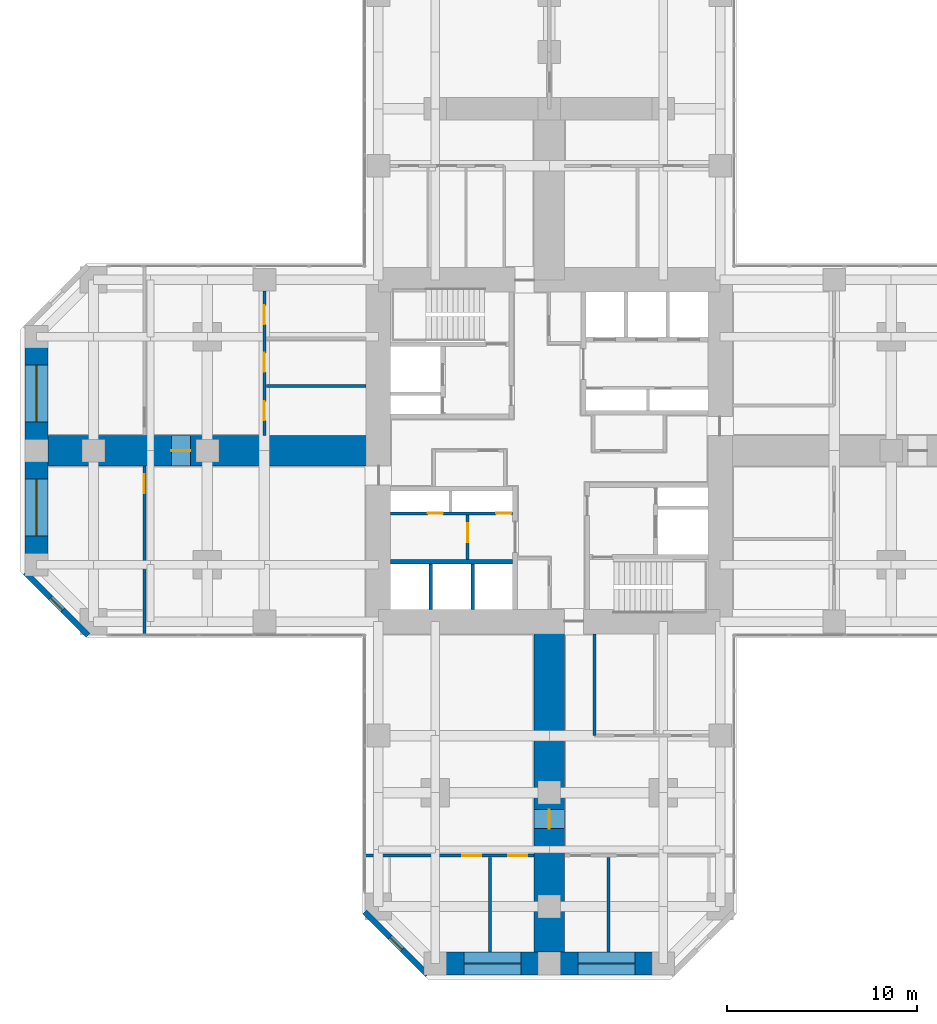
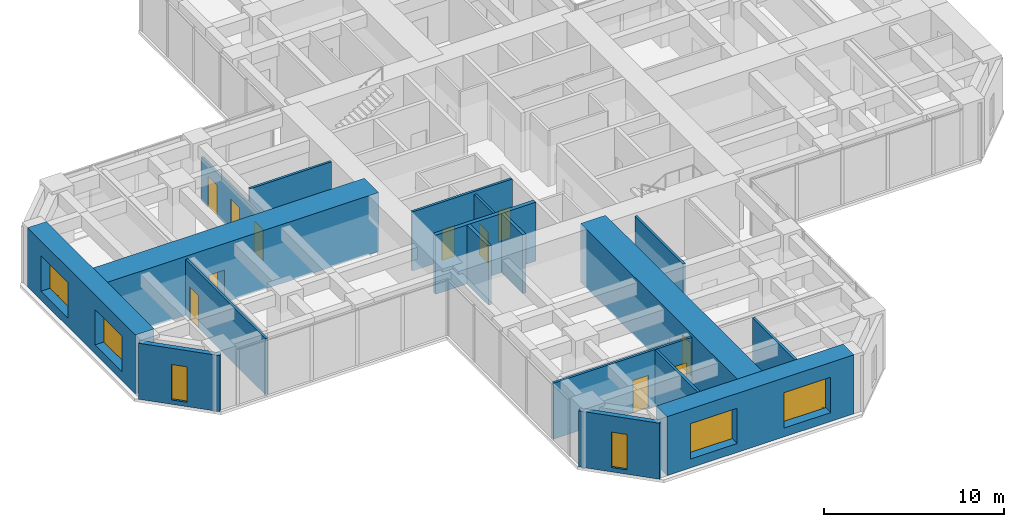
# One storey, part 8 of 13: 18 walls, 11 doors, 6 windows, 17 openings.
"""IFC4 building model written with IfcOpenShell, lengths in metres."""

from ifc_helpers import new_model, si_unit, direction, frame, frame_2d, origin, place, context, subcontext, project, spatial, rectangle, hollow_rectangle, extrude, material, layer, layer_set, constituent, constituent_set, type_object, element, fill, save


model = new_model("IFC4")

# Units and contexts
model_context = context("Model", 3, precision=1e-05, world=origin(), true_north=direction((0.0, 1.0)))
body_context = subcontext(model_context, "Body", "Model", "MODEL_VIEW")
ifc_project = project(units=[si_unit("LENGTHUNIT", "METRE"), si_unit("AREAUNIT", "SQUARE_METRE"), si_unit("VOLUMEUNIT", "CUBIC_METRE"), si_unit("PLANEANGLEUNIT", "RADIAN"), si_unit("MASSUNIT", "GRAM", prefix="KILO")], contexts=[model_context])

# Site, building, storey
site_placement = place(None, origin())
site = spatial("IfcSite", under=ifc_project, at=site_placement, CompositionType="ELEMENT")
building_placement = place(site_placement, origin())
building = spatial("IfcBuilding", under=site, at=building_placement, Name="Torre Cruceta", CompositionType="ELEMENT")
storey_placement = place(building_placement, frame((0.0, 0.0, 23.5)))
storey = spatial("IfcBuildingStorey", under=building, at=storey_placement, Name="L05", CompositionType="ELEMENT", Elevation=23.5)

# Wall
ifc_material_1 = material(Name="Concrete G60 (fck 60 MPa)", Category="concrete")
ifc_layer_1 = layer(ifc_material_1, 0.25)
ifc_layer_set_1 = layer_set([ifc_layer_1], Name="Concrete G60 (fck 60 MPa)")
wall_type_1 = type_object("IfcWallType", Name="CORE INNER WALL 250 G60", PredefinedType="SHEAR", material=ifc_layer_set_1)
wall_1_placement = place(storey_placement, frame((-1.925048828125, -5.85009765625, 0.0), z_axis=(0.0, 0.0, 1.0), x_axis=(-1.0, 0.0, 0.0)))
element("IfcWall", 1, at=wall_1_placement, inside=storey, type_object=wall_type_1, Name="CW4 L05 SW-LV", PredefinedType="SHEAR", context=body_context, shape_type="SweptSolid", body=[
    extrude(rectangle(XDim=6.425048828125, YDim=0.25, at=frame_2d((3.21240234375, 0.0))), origin(), (0.0, 0.0, 1.0), 4.0),
])

# Wall, opening, window
ifc_material_2 = material(Name="Concrete G30 (fck 30 MPa)", Category="concrete")
ifc_layer_2 = layer(ifc_material_2, 0.300048828125)
ifc_layer_set_2 = layer_set([ifc_layer_2], Name="Concrete G30 (fck 30 MPa)")
wall_type_2 = type_object("IfcWallType", Name="EXPOSED CONCRETE FACADE WALL 300", PredefinedType="SOLIDWALL", material=ifc_layer_set_2)
wall_2_placement = place(storey_placement, frame((-27.60009765625, -6.418212890625, 0.0), z_axis=(0.0, 0.0, 1.0), x_axis=(0.707106781187, -0.707106781187, 0.0)))
wall_2 = element("IfcWall", 2, at=wall_2_placement, inside=storey, type_object=wall_type_2, Name="EW1 facade wall L05 W chamfer 13", PredefinedType="SOLIDWALL", context=body_context, shape_type="SweptSolid", body=[
    extrude(rectangle(XDim=4.66943359375, YDim=0.300048828125, at=frame_2d((2.334716796875, 0.0))), origin(), (0.0, 0.0, 1.0), 3.800048828125),
])
opening_1_placement = place(wall_2_placement, frame((1.884765625, 0.0, 0.300048828125)))
opening_1 = element("IfcOpeningElement", 3, at=opening_1_placement, cuts=wall_2, Name="Opening WN5", PredefinedType="OPENING", context=body_context, shape_type="SweptSolid", body=[
    extrude(rectangle(XDim=0.89990234375, YDim=2.39990234375, at=frame_2d((0.449951171875, 1.199951171875))), frame((0.0, 0.159912109375, 0.0), z_axis=(0.0, -1.0, 0.0), x_axis=(1.0, 0.0, 0.0)), (0.0, 0.0, 1.0), 0.320068359375),
])
ifc_material_3 = material(Name="Aluminium window frame", Category="aluminium")
ifc_constituent_1 = constituent(ifc_material_3, Name="Frame")
ifc_material_4 = material(Name="Laminated insulating glass unit, low-iron clear", Category="glass")
ifc_constituent_2 = constituent(ifc_material_4, Name="Glazing")
ifc_constituent_set_1 = constituent_set(constituents=[ifc_constituent_1, ifc_constituent_2], Name="Aluminium window")
window_type_1 = type_object("IfcWindowType", Name="CHAMFER SLOT WINDOW 900X2400", PartitioningType="SINGLE_PANEL", PredefinedType="WINDOW", material=ifc_constituent_set_1)
window_1_placement = place(opening_1_placement, origin())
window_1 = element("IfcWindow", 4, at=window_1_placement, inside=storey, type_object=window_type_1, Name="WN5 L05 W 1", OverallHeight=2.39990234375, OverallWidth=0.89990234375, PartitioningType="SINGLE_PANEL", PredefinedType="WINDOW", context=body_context, shape_type="SweptSolid", body=[
    extrude(hollow_rectangle(XDim=0.89990234375, YDim=2.39990234375, WallThickness=0.06005859375, at=frame_2d((0.449951171875, 1.199951171875))), frame((0.0, 0.030029296875, 0.0), z_axis=(0.0, -1.0, 0.0), x_axis=(1.0, 0.0, 0.0)), (0.0, 0.0, 1.0), 0.06005859375),
    extrude(rectangle(XDim=0.77880859375, YDim=2.27880859375, at=frame_2d((0.449951171875, 1.199951171875))), frame((0.0, 0.030029296875, 0.0), z_axis=(0.0, -1.0, 0.0), x_axis=(1.0, 0.0, 0.0)), (0.0, 0.0, 1.0), 0.06005859375),
])
fill(opening_1, window_1)

wall_3_placement = place(storey_placement, frame((-9.719970703125, -24.29833984375, 0.0), z_axis=(0.0, 0.0, 1.0), x_axis=(0.707106781187, -0.707106781187, 0.0)))
wall_3 = element("IfcWall", 5, at=wall_3_placement, inside=storey, type_object=wall_type_2, Name="EW1 facade wall L05 S chamfer 16", PredefinedType="SOLIDWALL", context=body_context, shape_type="SweptSolid", body=[
    extrude(rectangle(XDim=4.66943359375, YDim=0.300048828125, at=frame_2d((2.334716796875, 0.0))), origin(), (0.0, 0.0, 1.0), 3.800048828125),
])
opening_2_placement = place(wall_3_placement, frame((1.884765625, 0.0, 0.300048828125)))
opening_2 = element("IfcOpeningElement", 6, at=opening_2_placement, cuts=wall_3, Name="Opening WN5", PredefinedType="OPENING", context=body_context, shape_type="SweptSolid", body=[
    extrude(rectangle(XDim=0.89990234375, YDim=2.39990234375, at=frame_2d((0.449951171875, 1.199951171875))), frame((0.0, 0.159912109375, 0.0), z_axis=(0.0, -1.0, 0.0), x_axis=(1.0, 0.0, 0.0)), (0.0, 0.0, 1.0), 0.320068359375),
])
window_2_placement = place(opening_2_placement, origin())
window_2 = element("IfcWindow", 7, at=window_2_placement, inside=storey, type_object=window_type_1, Name="WN5 L05 S 1", OverallHeight=2.39990234375, OverallWidth=0.89990234375, PartitioningType="SINGLE_PANEL", PredefinedType="WINDOW", context=body_context, shape_type="SweptSolid", body=[
    extrude(hollow_rectangle(XDim=0.89990234375, YDim=2.39990234375, WallThickness=0.06005859375, at=frame_2d((0.449951171875, 1.199951171875))), frame((0.0, 0.030029296875, 0.0), z_axis=(0.0, -1.0, 0.0), x_axis=(1.0, 0.0, 0.0)), (0.0, 0.0, 1.0), 0.06005859375),
    extrude(rectangle(XDim=0.77880859375, YDim=2.27880859375, at=frame_2d((0.449951171875, 1.199951171875))), frame((0.0, 0.030029296875, 0.0), z_axis=(0.0, -1.0, 0.0), x_axis=(1.0, 0.0, 0.0)), (0.0, 0.0, 1.0), 0.06005859375),
])
fill(opening_2, window_2)

# Walls
ifc_material_5 = material(Name="Concrete G35 (fck 35 MPa)", Category="concrete")
ifc_layer_3 = layer(ifc_material_5, 0.199951171875)
ifc_layer_set_3 = layer_set([ifc_layer_3], Name="Concrete G35 (fck 35 MPa)")
wall_type_3 = type_object("IfcWallType", Name="LIFT SHAFT WALL 200", PredefinedType="PARTITIONING", material=ifc_layer_set_3)
for number, where, z_axis, x_axis, name in (
    (8, (-4.033447265625, -5.97509765625, 0.0), (0.0, 0.0, 1.0), (0.0, -1.0, 0.0), "SW1 L05 SW-LS1"),
    (9, (-6.24169921875, -5.97509765625, 0.0), (0.0, 0.0, 1.0), (0.0, -1.0, 0.0), "SW1 L05 SW-LS2"),
):
    element("IfcWall", number, at=place(storey_placement, frame(where, z_axis=z_axis, x_axis=x_axis)), inside=storey, type_object=wall_type_3, Name=name, PredefinedType="PARTITIONING", context=body_context, shape_type="SweptSolid", body=[
        extrude(rectangle(XDim=2.375, YDim=0.199951171875, at=frame_2d((1.1875, 0.0))), origin(), (0.0, 0.0, 1.0), 4.0),
    ])

# Wall, openings, windows
ifc_material_6 = material(Name="Concrete G60 (fck 60 MPa)", Category="concrete")
ifc_layer_4 = layer(ifc_material_6, 1.199951171875)
ifc_layer_set_4 = layer_set([ifc_layer_4], Name="Concrete G60 (fck 60 MPa)")
wall_type_4 = type_object("IfcWallType", Name="NOSE WALL 1200 G60", PredefinedType="SHEAR", material=ifc_layer_set_4)
wall_4_placement = place(storey_placement, frame((-6.0, -27.0, 0.0), z_axis=(0.0, 0.0, 1.0), x_axis=(1.0, 0.0, 0.0)))
wall_4 = element("IfcWall", 10, at=wall_4_placement, inside=storey, type_object=wall_type_4, Name="NW1 nose wall L05 S", PredefinedType="SHEAR", context=body_context, shape_type="SweptSolid", body=[
    extrude(rectangle(XDim=12.0, YDim=1.199951171875, at=frame_2d((6.0, 0.0))), origin(), (0.0, 0.0, 1.0), 4.0),
])
opening_3_placement = place(wall_4_placement, frame((1.5, 0.0, 0.60009765625)))
opening_3 = element("IfcOpeningElement", 11, at=opening_3_placement, cuts=wall_4, Name="Opening WN6", PredefinedType="OPENING", context=body_context, shape_type="SweptSolid", body=[
    extrude(rectangle(XDim=3.0, YDim=2.39990234375, at=frame_2d((1.5, 1.199951171875))), frame((0.0, 0.60986328125, 0.0), z_axis=(0.0, -1.0, 0.0), x_axis=(1.0, 0.0, 0.0)), (0.0, 0.0, 1.0), 1.219970703125),
])
opening_4_placement = place(wall_4_placement, frame((7.5, 0.0, 0.60009765625)))
opening_4 = element("IfcOpeningElement", 12, at=opening_4_placement, cuts=wall_4, Name="Opening WN6", PredefinedType="OPENING", context=body_context, shape_type="SweptSolid", body=[
    extrude(rectangle(XDim=3.0, YDim=2.39990234375, at=frame_2d((1.5, 1.199951171875))), frame((0.0, 0.60986328125, 0.0), z_axis=(0.0, -1.0, 0.0), x_axis=(1.0, 0.0, 0.0)), (0.0, 0.0, 1.0), 1.219970703125),
])
ifc_material_7 = material(Name="Aluminium window frame", Category="aluminium")
ifc_constituent_3 = constituent(ifc_material_7, Name="Frame")
ifc_material_8 = material(Name="Laminated insulating glass unit, low-iron clear", Category="glass")
ifc_constituent_4 = constituent(ifc_material_8, Name="Glazing")
ifc_constituent_set_2 = constituent_set(constituents=[ifc_constituent_3, ifc_constituent_4], Name="Aluminium window")
window_type_2 = type_object("IfcWindowType", Name="NOSE WALL WINDOW 3000X2400", PartitioningType="SINGLE_PANEL", PredefinedType="WINDOW", material=ifc_constituent_set_2)
window_3_placement = place(opening_3_placement, origin())
window_3 = element("IfcWindow", 13, at=window_3_placement, inside=storey, type_object=window_type_2, Name="WN6 L05 S 1", OverallHeight=2.39990234375, OverallWidth=3.0, PartitioningType="SINGLE_PANEL", PredefinedType="WINDOW", context=body_context, shape_type="SweptSolid", body=[
    extrude(hollow_rectangle(XDim=3.0, YDim=2.39990234375, WallThickness=0.06005859375, at=frame_2d((1.5, 1.199951171875))), frame((0.0, 0.030029296875, 0.0), z_axis=(0.0, -1.0, 0.0), x_axis=(1.0, 0.0, 0.0)), (0.0, 0.0, 1.0), 0.06005859375),
    extrude(rectangle(XDim=2.87890625, YDim=2.27880859375, at=frame_2d((1.5, 1.199951171875))), frame((0.0, 0.030029296875, 0.0), z_axis=(0.0, -1.0, 0.0), x_axis=(1.0, 0.0, 0.0)), (0.0, 0.0, 1.0), 0.06005859375),
])
fill(opening_3, window_3)
window_4_placement = place(opening_4_placement, origin())
window_4 = element("IfcWindow", 14, at=window_4_placement, inside=storey, type_object=window_type_2, Name="WN6 L05 S 2", OverallHeight=2.39990234375, OverallWidth=3.0, PartitioningType="SINGLE_PANEL", PredefinedType="WINDOW", context=body_context, shape_type="SweptSolid", body=[
    extrude(hollow_rectangle(XDim=3.0, YDim=2.39990234375, WallThickness=0.06005859375, at=frame_2d((1.5, 1.199951171875))), frame((0.0, 0.030029296875, 0.0), z_axis=(0.0, -1.0, 0.0), x_axis=(1.0, 0.0, 0.0)), (0.0, 0.0, 1.0), 0.06005859375),
    extrude(rectangle(XDim=2.87890625, YDim=2.27880859375, at=frame_2d((1.5, 1.199951171875))), frame((0.0, 0.030029296875, 0.0), z_axis=(0.0, -1.0, 0.0), x_axis=(1.0, 0.0, 0.0)), (0.0, 0.0, 1.0), 0.06005859375),
])
fill(opening_4, window_4)

wall_5_placement = place(storey_placement, frame((-27.0, 6.0, 0.0), z_axis=(0.0, 0.0, 1.0), x_axis=(0.0, -1.0, 0.0)))
wall_5 = element("IfcWall", 15, at=wall_5_placement, inside=storey, type_object=wall_type_4, Name="NW1 nose wall L05 W", PredefinedType="SHEAR", context=body_context, shape_type="SweptSolid", body=[
    extrude(rectangle(XDim=12.0, YDim=1.199951171875, at=frame_2d((6.0, 0.0))), origin(), (0.0, 0.0, 1.0), 4.0),
])
opening_5_placement = place(wall_5_placement, frame((1.5, 0.0, 0.60009765625)))
opening_5 = element("IfcOpeningElement", 16, at=opening_5_placement, cuts=wall_5, Name="Opening WN6", PredefinedType="OPENING", context=body_context, shape_type="SweptSolid", body=[
    extrude(rectangle(XDim=3.0, YDim=2.39990234375, at=frame_2d((1.5, 1.199951171875))), frame((0.0, 0.60986328125, 0.0), z_axis=(0.0, -1.0, 0.0), x_axis=(1.0, 0.0, 0.0)), (0.0, 0.0, 1.0), 1.219970703125),
])
opening_6_placement = place(wall_5_placement, frame((7.5, 0.0, 0.60009765625)))
opening_6 = element("IfcOpeningElement", 17, at=opening_6_placement, cuts=wall_5, Name="Opening WN6", PredefinedType="OPENING", context=body_context, shape_type="SweptSolid", body=[
    extrude(rectangle(XDim=3.0, YDim=2.39990234375, at=frame_2d((1.5, 1.199951171875))), frame((0.0, 0.60986328125, 0.0), z_axis=(0.0, -1.0, 0.0), x_axis=(1.0, 0.0, 0.0)), (0.0, 0.0, 1.0), 1.219970703125),
])
window_5_placement = place(opening_5_placement, origin())
window_5 = element("IfcWindow", 18, at=window_5_placement, inside=storey, type_object=window_type_2, Name="WN6 L05 W 1", OverallHeight=2.39990234375, OverallWidth=3.0, PartitioningType="SINGLE_PANEL", PredefinedType="WINDOW", context=body_context, shape_type="SweptSolid", body=[
    extrude(hollow_rectangle(XDim=3.0, YDim=2.39990234375, WallThickness=0.06005859375, at=frame_2d((1.5, 1.199951171875))), frame((0.0, 0.030029296875, 0.0), z_axis=(0.0, -1.0, 0.0), x_axis=(1.0, 0.0, 0.0)), (0.0, 0.0, 1.0), 0.06005859375),
    extrude(rectangle(XDim=2.87890625, YDim=2.27880859375, at=frame_2d((1.5, 1.199951171875))), frame((0.0, 0.030029296875, 0.0), z_axis=(0.0, -1.0, 0.0), x_axis=(1.0, 0.0, 0.0)), (0.0, 0.0, 1.0), 0.06005859375),
])
fill(opening_5, window_5)
window_6_placement = place(opening_6_placement, origin())
window_6 = element("IfcWindow", 19, at=window_6_placement, inside=storey, type_object=window_type_2, Name="WN6 L05 W 2", OverallHeight=2.39990234375, OverallWidth=3.0, PartitioningType="SINGLE_PANEL", PredefinedType="WINDOW", context=body_context, shape_type="SweptSolid", body=[
    extrude(hollow_rectangle(XDim=3.0, YDim=2.39990234375, WallThickness=0.06005859375, at=frame_2d((1.5, 1.199951171875))), frame((0.0, 0.030029296875, 0.0), z_axis=(0.0, -1.0, 0.0), x_axis=(1.0, 0.0, 0.0)), (0.0, 0.0, 1.0), 0.06005859375),
    extrude(rectangle(XDim=2.87890625, YDim=2.27880859375, at=frame_2d((1.5, 1.199951171875))), frame((0.0, 0.030029296875, 0.0), z_axis=(0.0, -1.0, 0.0), x_axis=(1.0, 0.0, 0.0)), (0.0, 0.0, 1.0), 0.06005859375),
])
fill(opening_6, window_6)

# Wall, opening, door
ifc_material_9 = material(Name="Plasterboard on steel studs", Category="steel")
ifc_layer_5 = layer(ifc_material_9, 0.14990234375)
ifc_layer_set_5 = layer_set([ifc_layer_5], Name="Plasterboard on steel studs")
wall_type_5 = type_object("IfcWallType", Name="PARTITION 150", PredefinedType="PARTITIONING", material=ifc_layer_set_5)
wall_6_placement = place(storey_placement, frame((-4.300048828125, -3.375, 0.0), z_axis=(0.0, 0.0, 1.0), x_axis=(0.0, -1.0, 0.0)))
wall_6 = element("IfcWall", 20, at=wall_6_placement, inside=storey, type_object=wall_type_5, Name="PT1 L05-CORE-SW-X", PredefinedType="PARTITIONING", context=body_context, shape_type="SweptSolid", body=[
    extrude(rectangle(XDim=2.35009765625, YDim=0.14990234375, at=frame_2d((1.175048828125, 0.0))), origin(), (0.0, 0.0, 1.0), 3.800048828125),
])
opening_7_placement = place(wall_6_placement, frame((0.449951171875, 0.0, 0.0)))
opening_7 = element("IfcOpeningElement", 21, at=opening_7_placement, cuts=wall_6, Name="Opening D3", PredefinedType="OPENING", context=body_context, shape_type="SweptSolid", body=[
    extrude(rectangle(XDim=1.0, YDim=2.10009765625, at=frame_2d((0.5, 1.050048828125))), frame((0.0, 0.0849609375, 0.0), z_axis=(0.0, -1.0, 0.0), x_axis=(1.0, 0.0, 0.0)), (0.0, 0.0, 1.0), 0.169921875),
])
ifc_material_10 = material(Name="Steel DX51D", Category="steel")
ifc_constituent_5 = constituent(ifc_material_10, Name="Leaf and frame")
ifc_material_11 = material(Name="Polyester powder coating", Category="paint")
ifc_constituent_6 = constituent(ifc_material_11, Name="Finish")
ifc_constituent_set_3 = constituent_set(constituents=[ifc_constituent_5, ifc_constituent_6], Name="Steel fire door")
door_type_1 = type_object("IfcDoorType", Name="FIRE DOOR 1000X2100", OperationType="SINGLE_SWING_LEFT", PredefinedType="DOOR", material=ifc_constituent_set_3)
door_1_placement = place(opening_7_placement, origin())
door_1 = element("IfcDoor", 22, at=door_1_placement, inside=storey, type_object=door_type_1, Name="D3 L05-CORE-SW-X-D1", OperationType="SINGLE_SWING_LEFT", OverallHeight=2.10009765625, OverallWidth=1.0, PredefinedType="DOOR", context=body_context, shape_type="SweptSolid", body=[
    extrude(rectangle(XDim=1.0, YDim=2.10009765625, at=frame_2d((0.5, 1.050048828125))), frame((0.0, 0.02490234375, 0.0), z_axis=(0.0, -1.0, 0.0), x_axis=(1.0, 0.0, 0.0)), (0.0, 0.0, 1.0), 0.050048828125),
])
fill(opening_7, door_1)

# Walls
wall_7_placement = place(storey_placement, frame((2.375, -9.64990234375, 0.0), z_axis=(0.0, 0.0, 1.0), x_axis=(0.0, -1.0, 0.0)))
element("IfcWall", 23, at=wall_7_placement, inside=storey, type_object=wall_type_5, Name="PT1 L05-S-BSL", PredefinedType="PARTITIONING", context=body_context, shape_type="SweptSolid", body=[
    extrude(rectangle(XDim=5.35009765625, YDim=0.14990234375, at=frame_2d((2.675048828125, 0.0))), origin(), (0.0, 0.0, 1.0), 3.800048828125),
])
for number, where, z_axis, x_axis, name in (
    (24, (3.117919921875, -21.419921875, 0.0), (0.0, 0.0, 1.0), (0.0, -1.0, 0.0), "PT1 L05-S-TDL"),
    (25, (-3.117919921875, -21.419921875, 0.0), (0.0, 0.0, 1.0), (0.0, -1.0, 0.0), "PT1 L05-S-TDR"),
):
    element("IfcWall", number, at=place(storey_placement, frame(where, z_axis=z_axis, x_axis=x_axis)), inside=storey, type_object=wall_type_5, Name=name, PredefinedType="PARTITIONING", context=body_context, shape_type="SweptSolid", body=[
        extrude(rectangle(XDim=4.97998046875, YDim=0.14990234375, at=frame_2d((2.489990234375, 0.0))), origin(), (0.0, 0.0, 1.0), 3.800048828125),
    ])

# Wall, openings, doors
wall_8_placement = place(storey_placement, frame((-9.679931640625, -21.320068359375, 0.0), z_axis=(0.0, 0.0, 1.0), x_axis=(1.0, 0.0, 0.0)))
wall_8 = element("IfcWall", 26, at=wall_8_placement, inside=storey, type_object=wall_type_5, Name="PT1 L05-S-TWR", PredefinedType="PARTITIONING", context=body_context, shape_type="SweptSolid", body=[
    extrude(rectangle(XDim=8.8798828125, YDim=0.14990234375, at=frame_2d((4.43994140625, 0.0))), origin(), (0.0, 0.0, 1.0), 3.800048828125),
])
opening_8_placement = place(wall_8_placement, frame((5.0869140625, 0.0, 0.0)))
opening_8 = element("IfcOpeningElement", 27, at=opening_8_placement, cuts=wall_8, Name="Opening D14", PredefinedType="OPENING", context=body_context, shape_type="SweptSolid", body=[
    extrude(rectangle(XDim=1.0, YDim=2.199951171875, at=frame_2d((0.5, 1.10009765625))), frame((0.0, 0.0849609375, 0.0), z_axis=(0.0, -1.0, 0.0), x_axis=(1.0, 0.0, 0.0)), (0.0, 0.0, 1.0), 0.169921875),
])
opening_9_placement = place(wall_8_placement, frame((7.530029296875, 0.0, 0.0)))
opening_9 = element("IfcOpeningElement", 28, at=opening_9_placement, cuts=wall_8, Name="Opening D14", PredefinedType="OPENING", context=body_context, shape_type="SweptSolid", body=[
    extrude(rectangle(XDim=1.0, YDim=2.199951171875, at=frame_2d((0.5, 1.10009765625))), frame((0.0, 0.0849609375, 0.0), z_axis=(0.0, -1.0, 0.0), x_axis=(1.0, 0.0, 0.0)), (0.0, 0.0, 1.0), 0.169921875),
])
ifc_material_12 = material(Name="Steel DX51D", Category="steel")
ifc_constituent_7 = constituent(ifc_material_12, Name="Leaf and frame")
ifc_material_13 = material(Name="Polyester powder coating", Category="paint")
ifc_constituent_8 = constituent(ifc_material_13, Name="Finish")
ifc_material_14 = material(Name="Fire-resisting glass", Category="glass")
ifc_constituent_9 = constituent(ifc_material_14, Name="Vision panel")
ifc_constituent_set_4 = constituent_set(constituents=[ifc_constituent_7, ifc_constituent_8, ifc_constituent_9], Name="Steel fire door with vision panel")
door_type_2 = type_object("IfcDoorType", Name="FIRE DOOR VISION PANEL 1000X2200", OperationType="SINGLE_SWING_RIGHT", PredefinedType="DOOR", material=ifc_constituent_set_4)
door_2_placement = place(opening_8_placement, frame((1.0, 0.0, 0.0), z_axis=(0.0, 0.0, 1.0), x_axis=(-1.0, 0.0, 0.0)))
door_2 = element("IfcDoor", 29, at=door_2_placement, inside=storey, type_object=door_type_2, Name="D14 L05-S-TWR-D1", OperationType="SINGLE_SWING_LEFT", OverallHeight=2.199951171875, OverallWidth=1.0, PredefinedType="DOOR", context=body_context, shape_type="SweptSolid", body=[
    extrude(rectangle(XDim=1.0, YDim=2.199951171875, at=frame_2d((0.5, 1.10009765625))), frame((0.0, 0.025146484375, 0.0), z_axis=(0.0, -1.0, 0.0), x_axis=(1.0, 0.0, 0.0)), (0.0, 0.0, 1.0), 0.050048828125),
])
fill(opening_8, door_2)
door_3_placement = place(opening_9_placement, frame((1.0, 0.0, 0.0), z_axis=(0.0, 0.0, 1.0), x_axis=(-1.0, 0.0, 0.0)))
door_3 = element("IfcDoor", 30, at=door_3_placement, inside=storey, type_object=door_type_2, Name="D14 L05-S-TWR-D2", OperationType="SINGLE_SWING_LEFT", OverallHeight=2.199951171875, OverallWidth=1.0, PredefinedType="DOOR", context=body_context, shape_type="SweptSolid", body=[
    extrude(rectangle(XDim=1.0, YDim=2.199951171875, at=frame_2d((0.5, 1.10009765625))), frame((0.0, 0.025146484375, 0.0), z_axis=(0.0, -1.0, 0.0), x_axis=(1.0, 0.0, 0.0)), (0.0, 0.0, 1.0), 0.050048828125),
])
fill(opening_9, door_3)

wall_9_placement = place(storey_placement, frame((-15.0, 8.39990234375, 0.0), z_axis=(0.0, 0.0, 1.0), x_axis=(0.0, -1.0, 0.0)))
wall_9 = element("IfcWall", 31, at=wall_9_placement, inside=storey, type_object=wall_type_5, Name="PT1 L05-W-BFR", PredefinedType="PARTITIONING", context=body_context, shape_type="SweptSolid", body=[
    extrude(rectangle(XDim=7.599853515625, YDim=0.14990234375, at=frame_2d((3.7998046875, 0.0))), origin(), (0.0, 0.0, 1.0), 2.949951171875),
])
opening_10_placement = place(wall_9_placement, frame((0.75, 0.0, 0.0)))
opening_10 = element("IfcOpeningElement", 32, at=opening_10_placement, cuts=wall_9, Name="Opening D3", PredefinedType="OPENING", context=body_context, shape_type="SweptSolid", body=[
    extrude(rectangle(XDim=1.0, YDim=2.10009765625, at=frame_2d((0.5, 1.050048828125))), frame((0.0, 0.0849609375, 0.0), z_axis=(0.0, -1.0, 0.0), x_axis=(1.0, 0.0, 0.0)), (0.0, 0.0, 1.0), 0.169921875),
])
opening_11_placement = place(wall_9_placement, frame((3.25, 0.0, 0.0)))
opening_11 = element("IfcOpeningElement", 33, at=opening_11_placement, cuts=wall_9, Name="Opening D3", PredefinedType="OPENING", context=body_context, shape_type="SweptSolid", body=[
    extrude(rectangle(XDim=1.0, YDim=2.10009765625, at=frame_2d((0.5, 1.050048828125))), frame((0.0, 0.0849609375, 0.0), z_axis=(0.0, -1.0, 0.0), x_axis=(1.0, 0.0, 0.0)), (0.0, 0.0, 1.0), 0.169921875),
])
opening_12_placement = place(wall_9_placement, frame((5.800048828125, 0.0, 0.0)))
opening_12 = element("IfcOpeningElement", 34, at=opening_12_placement, cuts=wall_9, Name="Opening D3", PredefinedType="OPENING", context=body_context, shape_type="SweptSolid", body=[
    extrude(rectangle(XDim=1.0, YDim=2.10009765625, at=frame_2d((0.5, 1.050048828125))), frame((0.0, 0.0849609375, 0.0), z_axis=(0.0, -1.0, 0.0), x_axis=(1.0, 0.0, 0.0)), (0.0, 0.0, 1.0), 0.169921875),
])
door_4_placement = place(opening_10_placement, origin())
door_4 = element("IfcDoor", 35, at=door_4_placement, inside=storey, type_object=door_type_1, Name="D3 L05-W-BFR-D1", OperationType="SINGLE_SWING_RIGHT", OverallHeight=2.10009765625, OverallWidth=1.0, PredefinedType="DOOR", context=body_context, shape_type="SweptSolid", body=[
    extrude(rectangle(XDim=1.0, YDim=2.10009765625, at=frame_2d((0.5, 1.050048828125))), frame((0.0, 0.02490234375, 0.0), z_axis=(0.0, -1.0, 0.0), x_axis=(1.0, 0.0, 0.0)), (0.0, 0.0, 1.0), 0.050048828125),
])
fill(opening_10, door_4)
door_5_placement = place(opening_11_placement, origin())
door_5 = element("IfcDoor", 36, at=door_5_placement, inside=storey, type_object=door_type_1, Name="D3 L05-W-BFR-D2", OperationType="SINGLE_SWING_LEFT", OverallHeight=2.10009765625, OverallWidth=1.0, PredefinedType="DOOR", context=body_context, shape_type="SweptSolid", body=[
    extrude(rectangle(XDim=1.0, YDim=2.10009765625, at=frame_2d((0.5, 1.050048828125))), frame((0.0, 0.02490234375, 0.0), z_axis=(0.0, -1.0, 0.0), x_axis=(1.0, 0.0, 0.0)), (0.0, 0.0, 1.0), 0.050048828125),
])
fill(opening_11, door_5)
door_6_placement = place(opening_12_placement, origin())
door_6 = element("IfcDoor", 37, at=door_6_placement, inside=storey, type_object=door_type_1, Name="D3 L05-W-BFR-D3", OperationType="SINGLE_SWING_LEFT", OverallHeight=2.10009765625, OverallWidth=1.0, PredefinedType="DOOR", context=body_context, shape_type="SweptSolid", body=[
    extrude(rectangle(XDim=1.0, YDim=2.10009765625, at=frame_2d((0.5, 1.050048828125))), frame((0.0, 0.02490234375, 0.0), z_axis=(0.0, -1.0, 0.0), x_axis=(1.0, 0.0, 0.0)), (0.0, 0.0, 1.0), 0.050048828125),
])
fill(opening_12, door_6)

# Wall
wall_10_placement = place(storey_placement, frame((-9.64990234375, 3.39990234375, 0.0), z_axis=(0.0, 0.0, 1.0), x_axis=(-1.0, 0.0, 0.0)))
element("IfcWall", 38, at=wall_10_placement, inside=storey, type_object=wall_type_5, Name="PT1 L05-W-BDR1", PredefinedType="PARTITIONING", context=body_context, shape_type="SweptSolid", body=[
    extrude(rectangle(XDim=5.25, YDim=0.14990234375, at=frame_2d((2.625, 0.0))), origin(), (0.0, 0.0, 1.0), 3.800048828125),
])

# Wall, opening, door
wall_11_placement = place(storey_placement, frame((-21.320068359375, -0.800048828125, 0.0), z_axis=(0.0, 0.0, 1.0), x_axis=(0.0, -1.0, 0.0)))
wall_11 = element("IfcWall", 39, at=wall_11_placement, inside=storey, type_object=wall_type_5, Name="PT1 L05-W-TWL", PredefinedType="PARTITIONING", context=body_context, shape_type="SweptSolid", body=[
    extrude(rectangle(XDim=8.8798828125, YDim=0.14990234375, at=frame_2d((4.43994140625, 0.0))), origin(), (0.0, 0.0, 1.0), 3.800048828125),
])
opening_13_placement = place(wall_11_placement, frame((0.449951171875, 0.0, 0.0)))
opening_13 = element("IfcOpeningElement", 40, at=opening_13_placement, cuts=wall_11, Name="Opening D14", PredefinedType="OPENING", context=body_context, shape_type="SweptSolid", body=[
    extrude(rectangle(XDim=1.0, YDim=2.199951171875, at=frame_2d((0.5, 1.10009765625))), frame((0.0, 0.0849609375, 0.0), z_axis=(0.0, -1.0, 0.0), x_axis=(1.0, 0.0, 0.0)), (0.0, 0.0, 1.0), 0.169921875),
])
door_7_placement = place(opening_13_placement, frame((1.0, 0.0, 0.0), z_axis=(0.0, 0.0, 1.0), x_axis=(-1.0, 0.0, 0.0)))
door_7 = element("IfcDoor", 41, at=door_7_placement, inside=storey, type_object=door_type_2, Name="D14 L05-W-TWL-D1", OperationType="SINGLE_SWING_RIGHT", OverallHeight=2.199951171875, OverallWidth=1.0, PredefinedType="DOOR", context=body_context, shape_type="SweptSolid", body=[
    extrude(rectangle(XDim=1.0, YDim=2.199951171875, at=frame_2d((0.5, 1.10009765625))), frame((0.0, 0.025146484375, 0.0), z_axis=(0.0, -1.0, 0.0), x_axis=(1.0, 0.0, 0.0)), (0.0, 0.0, 1.0), 0.050048828125),
])
fill(opening_13, door_7)

# Wall, openings, doors
ifc_material_15 = material(Name="Concrete block masonry", Category="masonry")
ifc_layer_6 = layer(ifc_material_15, 0.14990234375)
ifc_layer_set_6 = layer_set([ifc_layer_6], Name="Concrete block masonry")
wall_type_6 = type_object("IfcWallType", Name="RISER WALL 150", PredefinedType="PARTITIONING", material=ifc_layer_set_6)
wall_12_placement = place(storey_placement, frame((-1.925048828125, -3.300048828125, 0.0), z_axis=(0.0, 0.0, 1.0), x_axis=(-1.0, 0.0, 0.0)))
wall_12 = element("IfcWall", 42, at=wall_12_placement, inside=storey, type_object=wall_type_6, Name="SW7 L05 SW-RV", PredefinedType="PARTITIONING", context=body_context, shape_type="SweptSolid", body=[
    extrude(rectangle(XDim=6.425048828125, YDim=0.14990234375, at=frame_2d((3.21240234375, 0.0))), origin(), (0.0, 0.0, 1.0), 4.0),
])
opening_14_placement = place(wall_12_placement, frame((0.074951171875, 0.0, 0.0)))
opening_14 = element("IfcOpeningElement", 43, at=opening_14_placement, cuts=wall_12, Name="Opening D5", PredefinedType="OPENING", context=body_context, shape_type="SweptSolid", body=[
    extrude(rectangle(XDim=0.800048828125, YDim=2.10009765625, at=frame_2d((0.39990234375, 1.050048828125))), frame((0.0, 0.0849609375, 0.0), z_axis=(0.0, -1.0, 0.0), x_axis=(1.0, 0.0, 0.0)), (0.0, 0.0, 1.0), 0.169921875),
])
opening_15_placement = place(wall_12_placement, frame((3.675048828125, 0.0, 0.0)))
opening_15 = element("IfcOpeningElement", 44, at=opening_15_placement, cuts=wall_12, Name="Opening D5", PredefinedType="OPENING", context=body_context, shape_type="SweptSolid", body=[
    extrude(rectangle(XDim=0.800048828125, YDim=2.10009765625, at=frame_2d((0.39990234375, 1.050048828125))), frame((0.0, 0.0849609375, 0.0), z_axis=(0.0, -1.0, 0.0), x_axis=(1.0, 0.0, 0.0)), (0.0, 0.0, 1.0), 0.169921875),
])
ifc_material_16 = material(Name="Steel DX51D", Category="steel")
ifc_constituent_10 = constituent(ifc_material_16, Name="Leaf and frame")
ifc_material_17 = material(Name="Polyester powder coating", Category="paint")
ifc_constituent_11 = constituent(ifc_material_17, Name="Finish")
ifc_constituent_set_5 = constituent_set(constituents=[ifc_constituent_10, ifc_constituent_11], Name="Steel fire door")
door_type_3 = type_object("IfcDoorType", Name="RISER ACCESS DOOR 800X2100", OperationType="SINGLE_SWING_LEFT", PredefinedType="DOOR", material=ifc_constituent_set_5)
door_8_placement = place(opening_14_placement, frame((0.800048828125, 0.0, 0.0), z_axis=(0.0, 0.0, 1.0), x_axis=(-1.0, 0.0, 0.0)))
door_8 = element("IfcDoor", 45, at=door_8_placement, inside=storey, type_object=door_type_3, Name="D5 L05 SW-RISER1", OperationType="SINGLE_SWING_RIGHT", OverallHeight=2.10009765625, OverallWidth=0.800048828125, PredefinedType="DOOR", context=body_context, shape_type="SweptSolid", body=[
    extrude(rectangle(XDim=0.800048828125, YDim=2.10009765625, at=frame_2d((0.400146484375, 1.050048828125))), frame((0.0, 0.025146484375, 0.0), z_axis=(0.0, -1.0, 0.0), x_axis=(1.0, 0.0, 0.0)), (0.0, 0.0, 1.0), 0.050048828125),
])
fill(opening_14, door_8)
door_9_placement = place(opening_15_placement, frame((0.800048828125, 0.0, 0.0), z_axis=(0.0, 0.0, 1.0), x_axis=(-1.0, 0.0, 0.0)))
door_9 = element("IfcDoor", 46, at=door_9_placement, inside=storey, type_object=door_type_3, Name="D5 L05 SW-RISER2", OperationType="SINGLE_SWING_RIGHT", OverallHeight=2.10009765625, OverallWidth=0.800048828125, PredefinedType="DOOR", context=body_context, shape_type="SweptSolid", body=[
    extrude(rectangle(XDim=0.800048828125, YDim=2.10009765625, at=frame_2d((0.400146484375, 1.050048828125))), frame((0.0, 0.025146484375, 0.0), z_axis=(0.0, -1.0, 0.0), x_axis=(1.0, 0.0, 0.0)), (0.0, 0.0, 1.0), 0.050048828125),
])
fill(opening_15, door_9)

# Wall, opening, door
ifc_material_18 = material(Name="Concrete G60 (fck 60 MPa)", Category="concrete")
ifc_layer_7 = layer(ifc_material_18, 1.60009765625)
ifc_layer_set_7 = layer_set([ifc_layer_7], Name="Concrete G60 (fck 60 MPa)")
wall_type_7 = type_object("IfcWallType", Name="SPINE WALL 1600 G60", PredefinedType="SHEAR", material=ifc_layer_set_7)
wall_13_placement = place(storey_placement, frame((0.0, -9.0, 0.0), z_axis=(0.0, 0.0, 1.0), x_axis=(0.0, -1.0, 0.0)))
wall_13 = element("IfcWall", 47, at=wall_13_placement, inside=storey, type_object=wall_type_7, Name="SW2 spine wall L05 S", PredefinedType="SHEAR", context=body_context, shape_type="SweptSolid", body=[
    extrude(rectangle(XDim=18.0, YDim=1.60009765625, at=frame_2d((9.0, 0.0))), origin(), (0.0, 0.0, 1.0), 4.0),
])
opening_16_placement = place(wall_13_placement, frame((9.89990234375, 0.0, 0.0)))
opening_16 = element("IfcOpeningElement", 48, at=opening_16_placement, cuts=wall_13, Name="Opening D14", PredefinedType="OPENING", context=body_context, shape_type="SweptSolid", body=[
    extrude(rectangle(XDim=1.0, YDim=2.199951171875, at=frame_2d((0.5, 1.10009765625))), frame((0.0, 0.81005859375, 0.0), z_axis=(0.0, -1.0, 0.0), x_axis=(1.0, 0.0, 0.0)), (0.0, 0.0, 1.0), 1.6201171875),
])
door_10_placement = place(opening_16_placement, origin())
door_10 = element("IfcDoor", 49, at=door_10_placement, inside=storey, type_object=door_type_2, Name="D14 L05-S-SP1", OperationType="SINGLE_SWING_RIGHT", OverallHeight=2.199951171875, OverallWidth=1.0, PredefinedType="DOOR", context=body_context, shape_type="SweptSolid", body=[
    extrude(rectangle(XDim=1.0, YDim=2.199951171875, at=frame_2d((0.5, 1.10009765625))), frame((0.0, 0.02490234375, 0.0), z_axis=(0.0, -1.0, 0.0), x_axis=(1.0, 0.0, 0.0)), (0.0, 0.0, 1.0), 0.050048828125),
])
fill(opening_16, door_10)

wall_14_placement = place(storey_placement, frame((-9.0, 0.0, 0.0), z_axis=(0.0, 0.0, 1.0), x_axis=(-1.0, 0.0, 0.0)))
wall_14 = element("IfcWall", 50, at=wall_14_placement, inside=storey, type_object=wall_type_7, Name="SW2 spine wall L05 W", PredefinedType="SHEAR", context=body_context, shape_type="SweptSolid", body=[
    extrude(rectangle(XDim=18.0, YDim=1.60009765625, at=frame_2d((9.0, 0.0))), origin(), (0.0, 0.0, 1.0), 4.0),
])
opening_17_placement = place(wall_14_placement, frame((9.89990234375, 0.0, 0.0)))
opening_17 = element("IfcOpeningElement", 51, at=opening_17_placement, cuts=wall_14, Name="Opening D14", PredefinedType="OPENING", context=body_context, shape_type="SweptSolid", body=[
    extrude(rectangle(XDim=1.0, YDim=2.199951171875, at=frame_2d((0.5, 1.10009765625))), frame((0.0, 0.81005859375, 0.0), z_axis=(0.0, -1.0, 0.0), x_axis=(1.0, 0.0, 0.0)), (0.0, 0.0, 1.0), 1.6201171875),
])
door_11_placement = place(opening_17_placement, frame((1.0, 0.0, 0.0), z_axis=(0.0, 0.0, 1.0), x_axis=(-1.0, 0.0, 0.0)))
door_11 = element("IfcDoor", 52, at=door_11_placement, inside=storey, type_object=door_type_2, Name="D14 L05-W-SP1", OperationType="SINGLE_SWING_LEFT", OverallHeight=2.199951171875, OverallWidth=1.0, PredefinedType="DOOR", context=body_context, shape_type="SweptSolid", body=[
    extrude(rectangle(XDim=1.0, YDim=2.199951171875, at=frame_2d((0.5, 1.10009765625))), frame((0.0, 0.025146484375, 0.0), z_axis=(0.0, -1.0, 0.0), x_axis=(1.0, 0.0, 0.0)), (0.0, 0.0, 1.0), 0.050048828125),
])
fill(opening_17, door_11)

save(model, "model.ifc")
